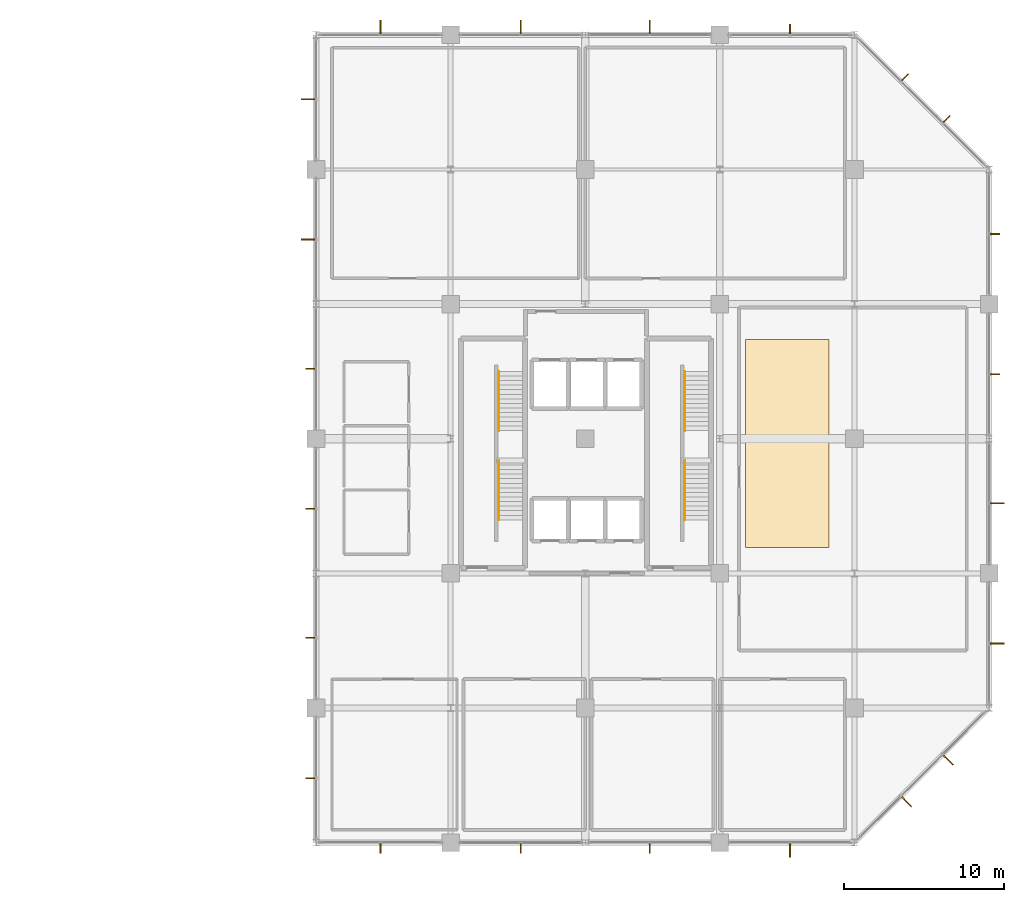
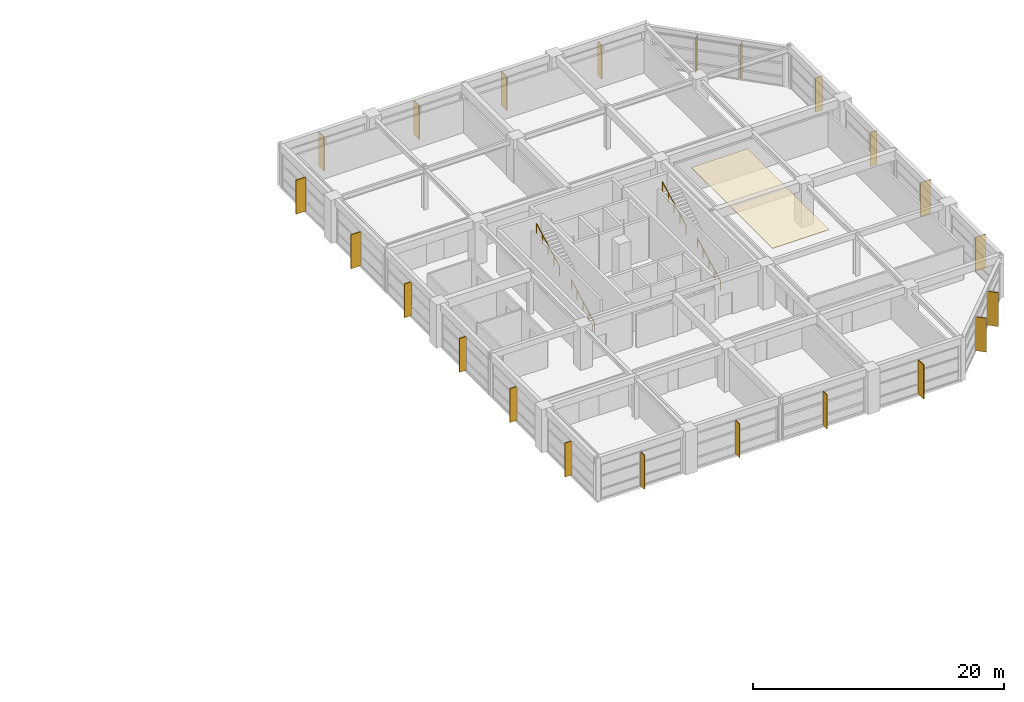
# One storey, part 18 of 18: 22 shading devices, 4 railings, 1 covering.
"""IFC4 building model written with IfcOpenShell, lengths in metres."""

from ifc_helpers import new_model, si_unit, direction, frame, origin, origin_2d, place, context, subcontext, project, spatial, polyline, rectangle, circle, outline, extrude, material, layer, layer_set, type_object, element, save


model = new_model("IFC4")

# Units and contexts
model_context = context("Model", 3, precision=1e-05, world=origin(), true_north=direction((0.0, 1.0)))
body_context = subcontext(model_context, "Body", "Model", "MODEL_VIEW")
ifc_project = project(units=[si_unit("LENGTHUNIT", "METRE"), si_unit("AREAUNIT", "SQUARE_METRE"), si_unit("VOLUMEUNIT", "CUBIC_METRE"), si_unit("PLANEANGLEUNIT", "RADIAN"), si_unit("MASSUNIT", "GRAM", prefix="KILO")], contexts=[model_context])

# Site, building, storey
site_placement = place(None, origin())
site = spatial("IfcSite", under=ifc_project, at=site_placement, CompositionType="ELEMENT")
building_placement = place(site_placement, origin())
building = spatial("IfcBuilding", under=site, at=building_placement, Name="Xuanlan Plaza Opera House", CompositionType="ELEMENT")
storey_placement = place(building_placement, frame((0.0, 0.0, 32.10009765625)))
storey = spatial("IfcBuildingStorey", under=building, at=storey_placement, Name="L07", CompositionType="ELEMENT", Elevation=32.10009765625)

# Shading devices
ifc_material_1 = material(Name="Anodised Aluminium 6063-T6", Category="aluminium")
shading_device_type_1 = type_object("IfcShadingDeviceType", Name="ENV-SHD-BRS01", PredefinedType="JALOUSIE", material=ifc_material_1)
for number, where, z_axis, x_axis, name in (
    (1, (130.02490234375, 33.27490234375, 0.0400390625), (0.0, 0.0, 1.0), (0.0, -1.0, 0.0), "Parametric Sunshade Fin L07-0299"),
    (2, (138.77490234375, 33.27490234375, 0.0400390625), (0.0, 0.0, 1.0), (0.0, -1.0, 0.0), "Parametric Sunshade Fin L07-0300"),
    (3, (146.824951171875, 33.27490234375, 0.0400390625), (0.0, 0.0, 1.0), (0.0, -1.0, 0.0), "Parametric Sunshade Fin L07-0301"),
    (4, (168.324951171875, 62.824951171875, 0.0400390625), (0.0, 0.0, 1.0), (1.0, 0.0, 0.0), "Parametric Sunshade Fin L07-0307"),
    (5, (168.324951171875, 71.574951171875, 0.0400390625), (0.0, 0.0, 1.0), (1.0, 0.0, 0.0), "Parametric Sunshade Fin L07-0308"),
    (6, (165.330078125, 78.7294921875, 0.0400390625), (0.0, 0.0, 1.0), (0.707106781187, 0.707106781187, 0.0), "Parametric Sunshade Fin L07-0309"),
    (7, (162.7294921875, 81.330078125, 0.0400390625), (0.0, 0.0, 1.0), (0.707106781187, 0.707106781187, 0.0), "Parametric Sunshade Fin L07-0310"),
    (8, (155.574951171875, 84.324951171875, 0.0400390625), (0.0, 0.0, 1.0), (0.0, 1.0, 0.0), "Parametric Sunshade Fin L07-0311"),
    (9, (125.675048828125, 63.175048828125, 0.0400390625), (0.0, 0.0, 1.0), (-1.0, 0.0, 0.0), "Parametric Sunshade Fin L07-0317"),
    (10, (125.675048828125, 54.425048828125, 0.0400390625), (0.0, 0.0, 1.0), (-1.0, 0.0, 0.0), "Parametric Sunshade Fin L07-0318"),
    (11, (125.675048828125, 46.375, 0.0400390625), (0.0, 0.0, 1.0), (-1.0, 0.0, 0.0), "Parametric Sunshade Fin L07-0319"),
    (12, (125.675048828125, 37.625, 0.0400390625), (0.0, 0.0, 1.0), (-1.0, 0.0, 0.0), "Parametric Sunshade Fin L07-0320"),
):
    element("IfcShadingDevice", number, at=place(storey_placement, frame(where, z_axis=z_axis, x_axis=x_axis)), inside=storey, type_object=shading_device_type_1, Name=name, PredefinedType="JALOUSIE", context=body_context, shape_type="SweptSolid", body=[
        extrude(rectangle(XDim=0.639892578125, YDim=0.070068359375, at=origin_2d()), origin(), (0.0, 0.0, 1.0), 3.300048828125),
    ])
shading_device_type_2 = type_object("IfcShadingDeviceType", Name="ENV-SHD-BRS02", PredefinedType="JALOUSIE", material=ifc_material_1)
for number, where, z_axis, x_axis, name in (
    (13, (155.574951171875, 33.135009765625, 0.0400390625), (0.0, 0.0, 1.0), (0.0, -1.0, 0.0), "Parametric Sunshade Fin L07-0302"),
    (14, (162.82861328125, 36.1708984375, 0.0400390625), (0.0, 0.0, 1.0), (0.707106781187, -0.707106781187, 0.0), "Parametric Sunshade Fin L07-0303"),
    (15, (165.42919921875, 38.771484375, 0.0400390625), (0.0, 0.0, 1.0), (0.707106781187, -0.707106781187, 0.0), "Parametric Sunshade Fin L07-0304"),
    (16, (168.465087890625, 46.02490234375, 0.0400390625), (0.0, 0.0, 1.0), (1.0, 0.0, 0.0), "Parametric Sunshade Fin L07-0305"),
    (17, (168.465087890625, 54.77490234375, 0.0400390625), (0.0, 0.0, 1.0), (1.0, 0.0, 0.0), "Parametric Sunshade Fin L07-0306"),
    (18, (146.824951171875, 84.465087890625, 0.0400390625), (0.0, 0.0, 1.0), (0.0, 1.0, 0.0), "Parametric Sunshade Fin L07-0312"),
    (19, (138.77490234375, 84.465087890625, 0.0400390625), (0.0, 0.0, 1.0), (0.0, 1.0, 0.0), "Parametric Sunshade Fin L07-0313"),
    (20, (130.02490234375, 84.465087890625, 0.0400390625), (0.0, 0.0, 1.0), (0.0, 1.0, 0.0), "Parametric Sunshade Fin L07-0314"),
    (21, (125.534912109375, 79.97509765625, 0.0400390625), (0.0, 0.0, 1.0), (-1.0, 0.0, 0.0), "Parametric Sunshade Fin L07-0315"),
    (22, (125.534912109375, 71.22509765625, 0.0400390625), (0.0, 0.0, 1.0), (-1.0, 0.0, 0.0), "Parametric Sunshade Fin L07-0316"),
):
    element("IfcShadingDevice", number, at=place(storey_placement, frame(where, z_axis=z_axis, x_axis=x_axis)), inside=storey, type_object=shading_device_type_2, Name=name, PredefinedType="JALOUSIE", context=body_context, shape_type="SweptSolid", body=[
        extrude(rectangle(XDim=0.919921875, YDim=0.080078125, at=origin_2d()), origin(), (0.0, 0.0, 1.0), 3.300048828125),
    ])

# Covering
ifc_material_2 = material(Name="Gypsum Acoustic Board", Category="gypsum")
ifc_layer = layer(ifc_material_2, 0.044921875)
ifc_layer_set = layer_set([ifc_layer], Name="Gypsum Acoustic Board")
covering_type = type_object("IfcCoveringType", Name="INT-COV-CLG-01", PredefinedType="CEILING", material=ifc_layer_set)
covering_placement = place(storey_placement, frame((0.0, 0.0, 3.914794921875)))
element("IfcCovering", 23, at=covering_placement, inside=storey, type_object=covering_type, Name="Acoustic Baffle Ceiling L07", PredefinedType="CEILING", context=body_context, shape_type="SweptSolid", body=[
    extrude(outline(polyline([(152.800048828125, 52.0), (158.0, 52.0), (158.0, 65.0), (152.800048828125, 65.0), (152.800048828125, 52.0)])), origin(), (0.0, 0.0, 1.0), 0.045166015625),
])

# Railings
ifc_material_3 = material(Name="Stainless Steel S30408", Category="steel")
railing_type = type_object("IfcRailingType", Name="INT-RL-HR01", PredefinedType="HANDRAIL", material=ifc_material_3)
for number, where, name in (
    (24, (137.409912109375, 53.739990234375, 0.14990234375), "Stair Handrail ST-T1 L07 Flight 1"),
    (25, (137.409912109375, 59.294921875, 2.25), "Stair Handrail ST-T1 L07 Flight 2"),
    (26, (149.010009765625, 53.739990234375, 0.14990234375), "Stair Handrail ST-T2 L07 Flight 1"),
    (27, (149.010009765625, 59.294921875, 2.25), "Stair Handrail ST-T2 L07 Flight 2"),
):
    element("IfcRailing", number, at=place(storey_placement, frame(where)), inside=storey, type_object=railing_type, Name=name, PredefinedType="HANDRAIL", context=body_context, shape_type="SweptSolid", body=[
        extrude(circle(Radius=0.02392578125, at=origin_2d()), frame((0.0, 0.0, 0.8759765625), z_axis=(0.0, 0.88492707638, 0.465729609848), x_axis=(-1.0, 0.0, 0.0)), (0.0, 0.0, 1.0), 4.186767578125),
        extrude(circle(Radius=0.02099609375, at=origin_2d()), origin(), (0.0, 0.0, 1.0), 0.851806640625),
        extrude(circle(Radius=0.02099609375, at=origin_2d()), frame((0.0, 0.92626953125, 0.487548828125)), (0.0, 0.0, 1.0), 0.851806640625),
        extrude(circle(Radius=0.02099609375, at=origin_2d()), frame((0.0, 1.8525390625, 0.97509765625)), (0.0, 0.0, 1.0), 0.851806640625),
        extrude(circle(Radius=0.02099609375, at=origin_2d()), frame((0.0, 2.77880859375, 1.46240234375)), (0.0, 0.0, 1.0), 0.851806640625),
        extrude(circle(Radius=0.02099609375, at=origin_2d()), frame((0.0, 3.705078125, 1.949951171875)), (0.0, 0.0, 1.0), 0.851806640625),
    ])

save(model, "model.ifc")
